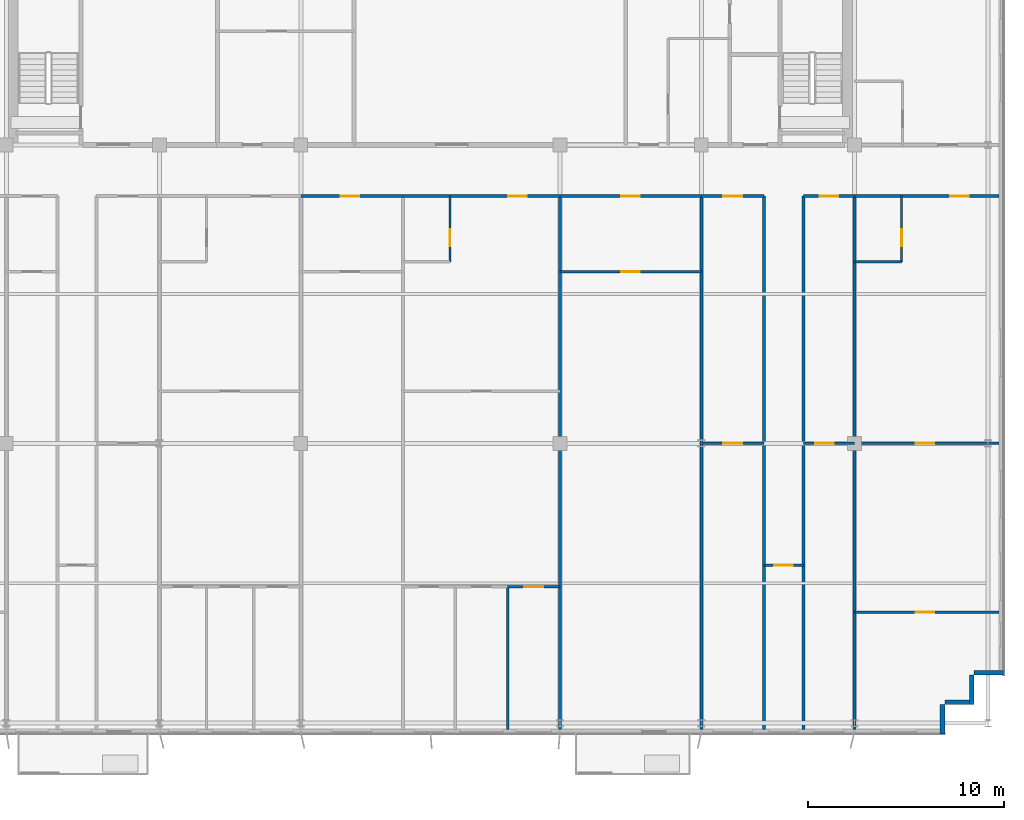
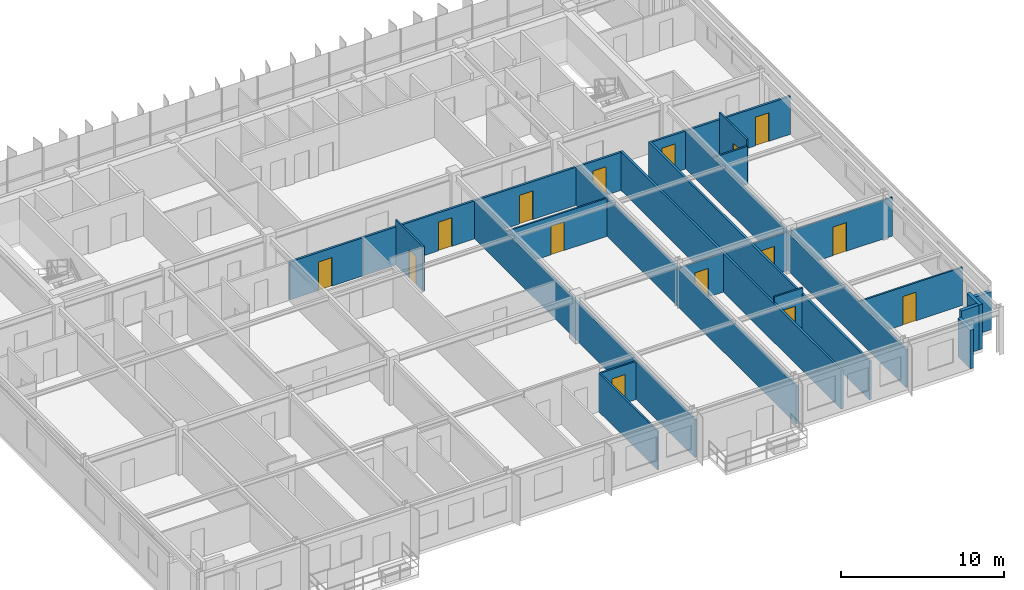
# One storey, part 18 of 23: 26 walls, 15 doors, 15 openings.
"""IFC4 building model written with IfcOpenShell, lengths in metres."""

from ifc_helpers import new_model, si_unit, direction, frame, frame_2d, origin, place, context, subcontext, project, spatial, rectangle, extrude, source, transform, mapped, material, layer, layer_set, type_object, element, fill, save


model = new_model("IFC4")

# Units and contexts
model_context = context("Model", 3, precision=1e-05, world=origin(), true_north=direction((0.0, 1.0)))
body_context = subcontext(model_context, "Body", "Model", "MODEL_VIEW")
ifc_project = project(units=[si_unit("LENGTHUNIT", "METRE"), si_unit("AREAUNIT", "SQUARE_METRE"), si_unit("VOLUMEUNIT", "CUBIC_METRE"), si_unit("PLANEANGLEUNIT", "RADIAN"), si_unit("MASSUNIT", "GRAM", prefix="KILO")], contexts=[model_context])

# Site, building, storey
site_placement = place(None, origin())
site = spatial("IfcSite", under=ifc_project, at=site_placement, CompositionType="ELEMENT")
building_placement = place(site_placement, origin())
building = spatial("IfcBuilding", under=site, at=building_placement, Name="Trelvane Seafront Commons", CompositionType="ELEMENT")
storey_placement = place(building_placement, frame((0.0, 0.0, 212.10009765625)))
storey = spatial("IfcBuildingStorey", under=building, at=storey_placement, Name="L55", CompositionType="ELEMENT", Elevation=212.10009765625)

# Walls
ifc_material_1 = material(Name="Precast concrete C40/50", Category="concrete")
ifc_layer_1 = layer(ifc_material_1, 0.239990234375, Name="ARCH-WALL-EXT240")
ifc_layer_set_1 = layer_set([ifc_layer_1], Name="Precast concrete C40/50")
wall_type_1 = type_object("IfcWallType", Name="ARCH-WALL-EXT240", PredefinedType="SOLIDWALL", material=ifc_layer_set_1)
wall_1_placement = place(storey_placement, frame((66.39990234375, 6.52001953125, 0.0), z_axis=(0.0, 0.0, 1.0), x_axis=(-1.0, 0.0, 0.0)))
element("IfcWall", 1, at=wall_1_placement, inside=storey, type_object=wall_type_1, Name="EW-L55-01114", PredefinedType="SOLIDWALL", context=body_context, shape_type="SweptSolid", body=[
    extrude(rectangle(XDim=1.5, YDim=0.239990234375, at=frame_2d((0.75, 0.0))), origin(), (0.0, 0.0, 1.0), 2.85986328125),
])
for number, where, z_axis, x_axis, name in (
    (2, (64.780029296875, 6.39990234375, 0.0), (0.0, 0.0, 1.0), (0.0, -1.0, 0.0), "EW-L55-01115"),
    (3, (64.89990234375, 5.02001953125, 0.0), (0.0, 0.0, 1.0), (-1.0, 0.0, 0.0), "EW-L55-01116"),
):
    element("IfcWall", number, at=place(storey_placement, frame(where, z_axis=z_axis, x_axis=x_axis)), inside=storey, type_object=wall_type_1, Name=name, PredefinedType="SOLIDWALL", context=body_context, shape_type="SweptSolid", body=[
        extrude(rectangle(XDim=1.5, YDim=0.239990234375, at=frame_2d((0.75, 0.0))), origin(), (0.0, 0.0, 1.0), 3.35986328125),
    ])
wall_2_placement = place(storey_placement, frame((63.280029296875, 4.89990234375, 0.0), z_axis=(0.0, 0.0, 1.0), x_axis=(0.0, -1.0, 0.0)))
element("IfcWall", 4, at=wall_2_placement, inside=storey, type_object=wall_type_1, Name="EW-L55-01117", PredefinedType="SOLIDWALL", context=body_context, shape_type="SweptSolid", body=[
    extrude(rectangle(XDim=1.5, YDim=0.239990234375, at=frame_2d((0.75, 0.0))), origin(), (0.0, 0.0, 1.0), 2.909912109375),
])

# Wall, opening, door
ifc_material_2 = material(Name="Gypsum Drywall Acoustic Partition")
ifc_layer_2 = layer(ifc_material_2, 0.1201171875, Name="ARCH-WALL-PART120")
ifc_layer_set_2 = layer_set([ifc_layer_2], Name="Gypsum Drywall Acoustic Partition")
wall_type_2 = type_object("IfcWallType", Name="ARCH-WALL-PART120", PredefinedType="PARTITIONING", material=ifc_layer_set_2)
wall_3_placement = place(storey_placement, frame((38.199951171875, 27.449951171875, 0.0), z_axis=(0.0, 0.0, 1.0), x_axis=(0.0, 1.0, 0.0)))
wall_3 = element("IfcWall", 5, at=wall_3_placement, inside=storey, type_object=wall_type_2, Name="W-L55-U7-BE-082", PredefinedType="PARTITIONING", context=body_context, shape_type="SweptSolid", body=[
    extrude(rectangle(XDim=3.35009765625, YDim=0.1201171875, at=frame_2d((1.675048828125, 0.0))), origin(), (0.0, 0.0, 1.0), 3.35986328125),
])
opening_1_placement = place(wall_3_placement, frame((0.800048828125, 0.0, 0.0)))
opening_1 = element("IfcOpeningElement", 6, at=opening_1_placement, cuts=wall_3, Name="Opening D-L55-48", PredefinedType="OPENING", context=body_context, shape_type="SweptSolid", body=[
    extrude(rectangle(XDim=0.85009765625, YDim=2.10009765625, at=frame_2d((0.425048828125, 1.050048828125))), frame((0.0, 0.070068359375, 0.0), z_axis=(0.0, -1.0, 0.0), x_axis=(1.0, 0.0, 0.0)), (0.0, 0.0, 1.0), 0.14013671875),
])
ifc_material_3 = material(Name="Acoustic timber door leaf", Category="wood")
door_type_1 = type_object("IfcDoorType", Name="ARCH-DR-INT850", OperationType="NOTDEFINED", PredefinedType="DOOR", material=ifc_material_3)
shared_shape_1 = source(origin(), body_context, "Body", "SweptSolid", [
    extrude(rectangle(XDim=0.85009765625, YDim=2.10009765625, at=frame_2d((0.425048828125, 1.050048828125))), frame((0.0, 0.02490234375, 0.0), z_axis=(0.0, -1.0, 0.0), x_axis=(1.0, 0.0, 0.0)), (0.0, 0.0, 1.0), 0.050048828125),
])
door_1_placement = place(opening_1_placement, origin())
door_1 = element("IfcDoor", 7, at=door_1_placement, inside=storey, type_object=door_type_1, Name="L55 Door 48", OperationType="SINGLE_SWING_RIGHT", OverallHeight=2.10009765625, OverallWidth=0.85009765625, PredefinedType="DOOR", context=body_context, shape_type="MappedRepresentation", body=[
    mapped(shared_shape_1, transform((0.0, 0.0, 0.0), x_axis=(1.0, 0.0, 0.0), y_axis=(0.0, 1.0, 0.0), z_axis=(0.0, 0.0, 1.0), scale=1.0)),
])
fill(opening_1, door_1)

wall_4_placement = place(storey_placement, frame((41.133056640625, 10.89990234375, 0.0), z_axis=(0.0, 0.0, 1.0), x_axis=(1.0, 0.0, 0.0)))
wall_4 = element("IfcWall", 8, at=wall_4_placement, inside=storey, type_object=wall_type_2, Name="W-L55-U7-YM-3-088", PredefinedType="PARTITIONING", context=body_context, shape_type="SweptSolid", body=[
    extrude(rectangle(XDim=2.6669921875, YDim=0.1201171875, at=frame_2d((1.33349609375, 0.0))), origin(), (0.0, 0.0, 1.0), 2.85986328125),
])
opening_2_placement = place(wall_4_placement, frame((0.85791015625, 0.0, 0.0)))
opening_2 = element("IfcOpeningElement", 9, at=opening_2_placement, cuts=wall_4, Name="Opening D-L55-52", PredefinedType="OPENING", context=body_context, shape_type="SweptSolid", body=[
    extrude(rectangle(XDim=0.949951171875, YDim=2.14990234375, at=frame_2d((0.47509765625, 1.074951171875))), frame((0.0, 0.070068359375, 0.0), z_axis=(0.0, -1.0, 0.0), x_axis=(1.0, 0.0, 0.0)), (0.0, 0.0, 1.0), 0.14013671875),
])
door_type_2 = type_object("IfcDoorType", Name="ARCH-DR-INT950", OperationType="NOTDEFINED", PredefinedType="DOOR", material=ifc_material_3)
shared_shape_2 = source(origin(), body_context, "Body", "SweptSolid", [
    extrude(rectangle(XDim=0.949951171875, YDim=2.14990234375, at=frame_2d((0.47509765625, 1.074951171875))), frame((0.0, 0.02490234375, 0.0), z_axis=(0.0, -1.0, 0.0), x_axis=(1.0, 0.0, 0.0)), (0.0, 0.0, 1.0), 0.050048828125),
])
door_2_placement = place(opening_2_placement, origin())
door_2 = element("IfcDoor", 10, at=door_2_placement, inside=storey, type_object=door_type_2, Name="L55 Door 52", OperationType="SINGLE_SWING_RIGHT", OverallHeight=2.14990234375, OverallWidth=0.949951171875, PredefinedType="DOOR", context=body_context, shape_type="MappedRepresentation", body=[
    mapped(shared_shape_2, transform((0.0, 0.0, 0.0), x_axis=(1.0, 0.0, 0.0), y_axis=(0.0, 1.0, 0.0), z_axis=(0.0, 0.0, 1.0), scale=1.0)),
])
fill(opening_2, door_2)

# Wall
wall_5_placement = place(storey_placement, frame((41.133056640625, 3.625, 0.0), z_axis=(0.0, 0.0, 1.0), x_axis=(0.0, 1.0, 0.0)))
element("IfcWall", 11, at=wall_5_placement, inside=storey, type_object=wall_type_2, Name="W-L55-U7-BDV-2-089", PredefinedType="PARTITIONING", context=body_context, shape_type="SweptSolid", body=[
    extrude(rectangle(XDim=7.27490234375, YDim=0.1201171875, at=frame_2d((3.637451171875, 0.0))), origin(), (0.0, 0.0, 1.0), 2.909912109375),
])

# Wall, opening, door
wall_6_placement = place(storey_placement, frame((43.800048828125, 26.949951171875, 0.0), z_axis=(0.0, 0.0, 1.0), x_axis=(1.0, 0.0, 0.0)))
wall_6 = element("IfcWall", 12, at=wall_6_placement, inside=storey, type_object=wall_type_2, Name="W-L55-U8-DIV-091", PredefinedType="PARTITIONING", context=body_context, shape_type="SweptSolid", body=[
    extrude(rectangle(XDim=7.199951171875, YDim=0.1201171875, at=frame_2d((3.60009765625, 0.0))), origin(), (0.0, 0.0, 1.0), 2.85986328125),
])
opening_3_placement = place(wall_6_placement, frame((3.125, 0.0, 0.0)))
opening_3 = element("IfcOpeningElement", 13, at=opening_3_placement, cuts=wall_6, Name="Opening D-L55-54", PredefinedType="OPENING", context=body_context, shape_type="SweptSolid", body=[
    extrude(rectangle(XDim=0.949951171875, YDim=2.14990234375, at=frame_2d((0.47509765625, 1.074951171875))), frame((0.0, 0.070068359375, 0.0), z_axis=(0.0, -1.0, 0.0), x_axis=(1.0, 0.0, 0.0)), (0.0, 0.0, 1.0), 0.14013671875),
])
door_3_placement = place(opening_3_placement, origin())
door_3 = element("IfcDoor", 14, at=door_3_placement, inside=storey, type_object=door_type_2, Name="L55 Door 54", OperationType="SINGLE_SWING_RIGHT", OverallHeight=2.14990234375, OverallWidth=0.949951171875, PredefinedType="DOOR", context=body_context, shape_type="MappedRepresentation", body=[
    mapped(shared_shape_2, transform((0.0, 0.0, 0.0), x_axis=(1.0, 0.0, 0.0), y_axis=(0.0, 1.0, 0.0), z_axis=(0.0, 0.0, 1.0), scale=1.0)),
])
fill(opening_3, door_3)

wall_7_placement = place(storey_placement, frame((51.0, 18.199951171875, 0.0), z_axis=(0.0, 0.0, 1.0), x_axis=(1.0, 0.0, 0.0)))
wall_7 = element("IfcWall", 15, at=wall_7_placement, inside=storey, type_object=wall_type_2, Name="W-L55-U9-DIV-093", PredefinedType="PARTITIONING", context=body_context, shape_type="SweptSolid", body=[
    extrude(rectangle(XDim=3.199951171875, YDim=0.1201171875, at=frame_2d((1.60009765625, 0.0))), origin(), (0.0, 0.0, 1.0), 2.909912109375),
])
opening_4_placement = place(wall_7_placement, frame((1.125, 0.0, 0.0)))
opening_4 = element("IfcOpeningElement", 16, at=opening_4_placement, cuts=wall_7, Name="Opening D-L55-56", PredefinedType="OPENING", context=body_context, shape_type="SweptSolid", body=[
    extrude(rectangle(XDim=0.949951171875, YDim=2.14990234375, at=frame_2d((0.47509765625, 1.074951171875))), frame((0.0, 0.070068359375, 0.0), z_axis=(0.0, -1.0, 0.0), x_axis=(1.0, 0.0, 0.0)), (0.0, 0.0, 1.0), 0.14013671875),
])
door_4_placement = place(opening_4_placement, origin())
door_4 = element("IfcDoor", 17, at=door_4_placement, inside=storey, type_object=door_type_2, Name="L55 Door 56", OperationType="SINGLE_SWING_RIGHT", OverallHeight=2.14990234375, OverallWidth=0.949951171875, PredefinedType="DOOR", context=body_context, shape_type="MappedRepresentation", body=[
    mapped(shared_shape_2, transform((0.0, 0.0, 0.0), x_axis=(1.0, 0.0, 0.0), y_axis=(0.0, 1.0, 0.0), z_axis=(0.0, 0.0, 1.0), scale=1.0)),
])
fill(opening_4, door_4)

wall_8_placement = place(storey_placement, frame((54.199951171875, 12.0, 0.0), z_axis=(0.0, 0.0, 1.0), x_axis=(1.0, 0.0, 0.0)))
wall_8 = element("IfcWall", 18, at=wall_8_placement, inside=storey, type_object=wall_type_2, Name="W-L55-ARM-END-10-096", PredefinedType="PARTITIONING", context=body_context, shape_type="SweptSolid", body=[
    extrude(rectangle(XDim=2.0, YDim=0.1201171875, at=frame_2d((1.0, 0.0))), origin(), (0.0, 0.0, 1.0), 3.35986328125),
])
opening_5_placement = place(wall_8_placement, frame((0.52001953125, 0.0, 0.0)))
opening_5 = element("IfcOpeningElement", 19, at=opening_5_placement, cuts=wall_8, Name="Opening D-L55-57", PredefinedType="OPENING", context=body_context, shape_type="SweptSolid", body=[
    extrude(rectangle(XDim=0.949951171875, YDim=2.14990234375, at=frame_2d((0.47509765625, 1.074951171875))), frame((0.0, 0.070068359375, 0.0), z_axis=(0.0, -1.0, 0.0), x_axis=(1.0, 0.0, 0.0)), (0.0, 0.0, 1.0), 0.14013671875),
])
door_5_placement = place(opening_5_placement, origin())
door_5 = element("IfcDoor", 20, at=door_5_placement, inside=storey, type_object=door_type_2, Name="L55 Door 57", OperationType="SINGLE_SWING_LEFT", OverallHeight=2.14990234375, OverallWidth=0.949951171875, PredefinedType="DOOR", context=body_context, shape_type="MappedRepresentation", body=[
    mapped(shared_shape_2, transform((0.0, 0.0, 0.0), x_axis=(1.0, 0.0, 0.0), y_axis=(0.0, 1.0, 0.0), z_axis=(0.0, 0.0, 1.0), scale=1.0)),
])
fill(opening_5, door_5)

wall_9_placement = place(storey_placement, frame((56.199951171875, 18.199951171875, 0.0), z_axis=(0.0, 0.0, 1.0), x_axis=(1.0, 0.0, 0.0)))
wall_9 = element("IfcWall", 21, at=wall_9_placement, inside=storey, type_object=wall_type_2, Name="W-L55-U11-DIV-098", PredefinedType="PARTITIONING", context=body_context, shape_type="SweptSolid", body=[
    extrude(rectangle(XDim=2.60009765625, YDim=0.1201171875, at=frame_2d((1.300048828125, 0.0))), origin(), (0.0, 0.0, 1.0), 2.909912109375),
])
opening_6_placement = place(wall_9_placement, frame((0.60205078125, 0.0, 0.0)))
opening_6 = element("IfcOpeningElement", 22, at=opening_6_placement, cuts=wall_9, Name="Opening D-L55-59", PredefinedType="OPENING", context=body_context, shape_type="SweptSolid", body=[
    extrude(rectangle(XDim=0.949951171875, YDim=2.14990234375, at=frame_2d((0.47509765625, 1.074951171875))), frame((0.0, 0.070068359375, 0.0), z_axis=(0.0, -1.0, 0.0), x_axis=(1.0, 0.0, 0.0)), (0.0, 0.0, 1.0), 0.14013671875),
])
door_6_placement = place(opening_6_placement, origin())
door_6 = element("IfcDoor", 23, at=door_6_placement, inside=storey, type_object=door_type_2, Name="L55 Door 59", OperationType="SINGLE_SWING_LEFT", OverallHeight=2.14990234375, OverallWidth=0.949951171875, PredefinedType="DOOR", context=body_context, shape_type="MappedRepresentation", body=[
    mapped(shared_shape_2, transform((0.0, 0.0, 0.0), x_axis=(1.0, 0.0, 0.0), y_axis=(0.0, 1.0, 0.0), z_axis=(0.0, 0.0, 1.0), scale=1.0)),
])
fill(opening_6, door_6)

wall_10_placement = place(storey_placement, frame((58.800048828125, 18.199951171875, 0.0), z_axis=(0.0, 0.0, 1.0), x_axis=(1.0, 0.0, 0.0)))
wall_10 = element("IfcWall", 24, at=wall_10_placement, inside=storey, type_object=wall_type_2, Name="W-L55-U12-KL-099", PredefinedType="PARTITIONING", context=body_context, shape_type="SweptSolid", body=[
    extrude(rectangle(XDim=7.35986328125, YDim=0.1201171875, at=frame_2d((3.679931640625, 0.0))), origin(), (0.0, 0.0, 1.0), 2.909912109375),
])
opening_7_placement = place(wall_10_placement, frame((3.114013671875, 0.0, 0.0)))
opening_7 = element("IfcOpeningElement", 25, at=opening_7_placement, cuts=wall_10, Name="Opening D-L55-60", PredefinedType="OPENING", context=body_context, shape_type="SweptSolid", body=[
    extrude(rectangle(XDim=0.949951171875, YDim=2.14990234375, at=frame_2d((0.47509765625, 1.074951171875))), frame((0.0, 0.070068359375, 0.0), z_axis=(0.0, -1.0, 0.0), x_axis=(1.0, 0.0, 0.0)), (0.0, 0.0, 1.0), 0.14013671875),
])
door_7_placement = place(opening_7_placement, origin())
door_7 = element("IfcDoor", 26, at=door_7_placement, inside=storey, type_object=door_type_2, Name="L55 Door 60", OperationType="SINGLE_SWING_RIGHT", OverallHeight=2.14990234375, OverallWidth=0.949951171875, PredefinedType="DOOR", context=body_context, shape_type="MappedRepresentation", body=[
    mapped(shared_shape_2, transform((0.0, 0.0, 0.0), x_axis=(1.0, 0.0, 0.0), y_axis=(0.0, 1.0, 0.0), z_axis=(0.0, 0.0, 1.0), scale=1.0)),
])
fill(opening_7, door_7)

wall_11_placement = place(storey_placement, frame((61.199951171875, 27.449951171875, 0.0), z_axis=(0.0, 0.0, 1.0), x_axis=(0.0, 1.0, 0.0)))
wall_11 = element("IfcWall", 27, at=wall_11_placement, inside=storey, type_object=wall_type_2, Name="W-L55-U12-BE-100", PredefinedType="PARTITIONING", context=body_context, shape_type="SweptSolid", body=[
    extrude(rectangle(XDim=3.35009765625, YDim=0.1201171875, at=frame_2d((1.675048828125, 0.0))), origin(), (0.0, 0.0, 1.0), 3.35986328125),
])
opening_8_placement = place(wall_11_placement, frame((0.800048828125, 0.0, 0.0)))
opening_8 = element("IfcOpeningElement", 28, at=opening_8_placement, cuts=wall_11, Name="Opening D-L55-61", PredefinedType="OPENING", context=body_context, shape_type="SweptSolid", body=[
    extrude(rectangle(XDim=0.85009765625, YDim=2.10009765625, at=frame_2d((0.425048828125, 1.050048828125))), frame((0.0, 0.070068359375, 0.0), z_axis=(0.0, -1.0, 0.0), x_axis=(1.0, 0.0, 0.0)), (0.0, 0.0, 1.0), 0.14013671875),
])
door_8_placement = place(opening_8_placement, origin())
door_8 = element("IfcDoor", 29, at=door_8_placement, inside=storey, type_object=door_type_1, Name="L55 Door 61", OperationType="SINGLE_SWING_LEFT", OverallHeight=2.10009765625, OverallWidth=0.85009765625, PredefinedType="DOOR", context=body_context, shape_type="MappedRepresentation", body=[
    mapped(shared_shape_1, transform((0.0, 0.0, 0.0), x_axis=(1.0, 0.0, 0.0), y_axis=(0.0, 1.0, 0.0), z_axis=(0.0, 0.0, 1.0), scale=1.0)),
])
fill(opening_8, door_8)

# Wall
wall_12_placement = place(storey_placement, frame((58.800048828125, 27.449951171875, 0.0), z_axis=(0.0, 0.0, 1.0), x_axis=(1.0, 0.0, 0.0)))
element("IfcWall", 30, at=wall_12_placement, inside=storey, type_object=wall_type_2, Name="W-L55-U12-BS-101", PredefinedType="PARTITIONING", context=body_context, shape_type="SweptSolid", body=[
    extrude(rectangle(XDim=2.39990234375, YDim=0.1201171875, at=frame_2d((1.199951171875, 0.0))), origin(), (0.0, 0.0, 1.0), 2.85986328125),
])

# Wall, opening, door
wall_13_placement = place(storey_placement, frame((58.800048828125, 9.60009765625, 0.0), z_axis=(0.0, 0.0, 1.0), x_axis=(1.0, 0.0, 0.0)))
wall_13 = element("IfcWall", 31, at=wall_13_placement, inside=storey, type_object=wall_type_2, Name="W-L55-U12-YM-1-103", PredefinedType="PARTITIONING", context=body_context, shape_type="SweptSolid", body=[
    extrude(rectangle(XDim=7.35986328125, YDim=0.1201171875, at=frame_2d((3.679931640625, 0.0))), origin(), (0.0, 0.0, 1.0), 2.85986328125),
])
opening_9_placement = place(wall_13_placement, frame((3.114013671875, 0.0, 0.0)))
opening_9 = element("IfcOpeningElement", 32, at=opening_9_placement, cuts=wall_13, Name="Opening D-L55-63", PredefinedType="OPENING", context=body_context, shape_type="SweptSolid", body=[
    extrude(rectangle(XDim=0.949951171875, YDim=2.14990234375, at=frame_2d((0.47509765625, 1.074951171875))), frame((0.0, 0.070068359375, 0.0), z_axis=(0.0, -1.0, 0.0), x_axis=(1.0, 0.0, 0.0)), (0.0, 0.0, 1.0), 0.14013671875),
])
door_9_placement = place(opening_9_placement, origin())
door_9 = element("IfcDoor", 33, at=door_9_placement, inside=storey, type_object=door_type_2, Name="L55 Door 63", OperationType="SINGLE_SWING_LEFT", OverallHeight=2.14990234375, OverallWidth=0.949951171875, PredefinedType="DOOR", context=body_context, shape_type="MappedRepresentation", body=[
    mapped(shared_shape_2, transform((0.0, 0.0, 0.0), x_axis=(1.0, 0.0, 0.0), y_axis=(0.0, 1.0, 0.0), z_axis=(0.0, 0.0, 1.0), scale=1.0)),
])
fill(opening_9, door_9)

# Walls
ifc_layer_3 = layer(ifc_material_2, 0.14990234375, Name="ARCH-WALL-PART150")
ifc_layer_set_3 = layer_set([ifc_layer_3], Name="Gypsum Drywall Acoustic Partition")
wall_type_3 = type_object("IfcWallType", Name="ARCH-WALL-PART150", PredefinedType="PARTITIONING", material=ifc_layer_set_3)
for number, where, z_axis, x_axis, name in (
    (34, (43.800048828125, 3.625, 0.0), (0.0, 0.0, 1.0), (0.0, 1.0, 0.0), "W-L55-PW-7-055"),
    (35, (51.0, 3.625, 0.0), (0.0, 0.0, 1.0), (0.0, 1.0, 0.0), "W-L55-PW-8-056"),
    (36, (58.800048828125, 3.625, 0.0), (0.0, 0.0, 1.0), (0.0, 1.0, 0.0), "W-L55-PW-11-057"),
):
    element("IfcWall", number, at=place(storey_placement, frame(where, z_axis=z_axis, x_axis=x_axis)), inside=storey, type_object=wall_type_3, Name=name, PredefinedType="PARTITIONING", context=body_context, shape_type="SweptSolid", body=[
        extrude(rectangle(XDim=27.175048828125, YDim=0.14990234375, at=frame_2d((13.58740234375, 0.0))), origin(), (0.0, 0.0, 1.0), 2.85986328125),
    ])

# Wall, opening, door
wall_14_placement = place(storey_placement, frame((30.60009765625, 30.800048828125, 0.0), z_axis=(0.0, 0.0, 1.0), x_axis=(1.0, 0.0, 0.0)))
wall_14 = element("IfcWall", 37, at=wall_14_placement, inside=storey, type_object=wall_type_3, Name="W-L55-CS-BAY-6-079", PredefinedType="PARTITIONING", context=body_context, shape_type="SweptSolid", body=[
    extrude(rectangle(XDim=5.199951171875, YDim=0.14990234375, at=frame_2d((2.60009765625, 0.0))), origin(), (0.0, 0.0, 1.0), 2.85986328125),
])
opening_10_placement = place(wall_14_placement, frame((2.032958984375, 0.0, 0.0)))
opening_10 = element("IfcOpeningElement", 38, at=opening_10_placement, cuts=wall_14, Name="Opening FD-L55-45", PredefinedType="OPENING", context=body_context, shape_type="SweptSolid", body=[
    extrude(rectangle(XDim=0.949951171875, YDim=2.14990234375, at=frame_2d((0.47509765625, 1.074951171875))), frame((0.0, 0.0849609375, 0.0), z_axis=(0.0, -1.0, 0.0), x_axis=(1.0, 0.0, 0.0)), (0.0, 0.0, 1.0), 0.169921875),
])
ifc_material_4 = material(Name="Powder-coated aluminium frame", Category="aluminium")
door_type_3 = type_object("IfcDoorType", Name="ARCH-DR-FD60-950", OperationType="NOTDEFINED", PredefinedType="DOOR", material=ifc_material_4)
door_10_placement = place(opening_10_placement, origin())
door_10 = element("IfcDoor", 39, at=door_10_placement, inside=storey, type_object=door_type_3, Name="L55 Bay 06 Entrance Door", OperationType="SINGLE_SWING_LEFT", OverallHeight=2.14990234375, OverallWidth=0.949951171875, PredefinedType="DOOR", context=body_context, shape_type="MappedRepresentation", body=[
    mapped(shared_shape_2, transform((0.0, 0.0, 0.0), x_axis=(1.0, 0.0, 0.0), y_axis=(0.0, 1.0, 0.0), z_axis=(0.0, 0.0, 1.0), scale=1.0)),
])
fill(opening_10, door_10)

wall_15_placement = place(storey_placement, frame((35.800048828125, 30.800048828125, 0.0), z_axis=(0.0, 0.0, 1.0), x_axis=(1.0, 0.0, 0.0)))
wall_15 = element("IfcWall", 40, at=wall_15_placement, inside=storey, type_object=wall_type_3, Name="W-L55-CS-BAY-7-084", PredefinedType="PARTITIONING", context=body_context, shape_type="SweptSolid", body=[
    extrude(rectangle(XDim=8.0, YDim=0.14990234375, at=frame_2d((4.0, 0.0))), origin(), (0.0, 0.0, 1.0), 2.85986328125),
])
opening_11_placement = place(wall_15_placement, frame((5.366943359375, 0.0, 0.0)))
opening_11 = element("IfcOpeningElement", 41, at=opening_11_placement, cuts=wall_15, Name="Opening FD-L55-49", PredefinedType="OPENING", context=body_context, shape_type="SweptSolid", body=[
    extrude(rectangle(XDim=0.949951171875, YDim=2.14990234375, at=frame_2d((0.47509765625, 1.074951171875))), frame((0.0, 0.0849609375, 0.0), z_axis=(0.0, -1.0, 0.0), x_axis=(1.0, 0.0, 0.0)), (0.0, 0.0, 1.0), 0.169921875),
])
door_11_placement = place(opening_11_placement, origin())
door_11 = element("IfcDoor", 42, at=door_11_placement, inside=storey, type_object=door_type_3, Name="L55 Unit 07 Entrance Door", OperationType="SINGLE_SWING_LEFT", OverallHeight=2.14990234375, OverallWidth=0.949951171875, PredefinedType="DOOR", context=body_context, shape_type="MappedRepresentation", body=[
    mapped(shared_shape_2, transform((0.0, 0.0, 0.0), x_axis=(1.0, 0.0, 0.0), y_axis=(0.0, 1.0, 0.0), z_axis=(0.0, 0.0, 1.0), scale=1.0)),
])
fill(opening_11, door_11)

wall_16_placement = place(storey_placement, frame((43.800048828125, 30.800048828125, 0.0), z_axis=(0.0, 0.0, 1.0), x_axis=(1.0, 0.0, 0.0)))
wall_16 = element("IfcWall", 43, at=wall_16_placement, inside=storey, type_object=wall_type_3, Name="W-L55-CS-BAY-8-090", PredefinedType="PARTITIONING", context=body_context, shape_type="SweptSolid", body=[
    extrude(rectangle(XDim=7.199951171875, YDim=0.14990234375, at=frame_2d((3.60009765625, 0.0))), origin(), (0.0, 0.0, 1.0), 2.85986328125),
])
opening_12_placement = place(wall_16_placement, frame((3.125, 0.0, 0.0)))
opening_12 = element("IfcOpeningElement", 44, at=opening_12_placement, cuts=wall_16, Name="Opening FD-L55-53", PredefinedType="OPENING", context=body_context, shape_type="SweptSolid", body=[
    extrude(rectangle(XDim=0.949951171875, YDim=2.14990234375, at=frame_2d((0.47509765625, 1.074951171875))), frame((0.0, 0.0849609375, 0.0), z_axis=(0.0, -1.0, 0.0), x_axis=(1.0, 0.0, 0.0)), (0.0, 0.0, 1.0), 0.169921875),
])
door_12_placement = place(opening_12_placement, origin())
door_12 = element("IfcDoor", 45, at=door_12_placement, inside=storey, type_object=door_type_3, Name="L55 Bay 08 Entrance Door", OperationType="SINGLE_SWING_LEFT", OverallHeight=2.14990234375, OverallWidth=0.949951171875, PredefinedType="DOOR", context=body_context, shape_type="MappedRepresentation", body=[
    mapped(shared_shape_2, transform((0.0, 0.0, 0.0), x_axis=(1.0, 0.0, 0.0), y_axis=(0.0, 1.0, 0.0), z_axis=(0.0, 0.0, 1.0), scale=1.0)),
])
fill(opening_12, door_12)

wall_17_placement = place(storey_placement, frame((51.0, 30.800048828125, 0.0), z_axis=(0.0, 0.0, 1.0), x_axis=(1.0, 0.0, 0.0)))
wall_17 = element("IfcWall", 46, at=wall_17_placement, inside=storey, type_object=wall_type_3, Name="W-L55-CS-BAY-9-092", PredefinedType="PARTITIONING", context=body_context, shape_type="SweptSolid", body=[
    extrude(rectangle(XDim=3.199951171875, YDim=0.14990234375, at=frame_2d((1.60009765625, 0.0))), origin(), (0.0, 0.0, 1.0), 2.85986328125),
])
opening_13_placement = place(wall_17_placement, frame((1.125, 0.0, 0.0)))
opening_13 = element("IfcOpeningElement", 47, at=opening_13_placement, cuts=wall_17, Name="Opening FD-L55-55", PredefinedType="OPENING", context=body_context, shape_type="SweptSolid", body=[
    extrude(rectangle(XDim=0.949951171875, YDim=2.14990234375, at=frame_2d((0.47509765625, 1.074951171875))), frame((0.0, 0.0849609375, 0.0), z_axis=(0.0, -1.0, 0.0), x_axis=(1.0, 0.0, 0.0)), (0.0, 0.0, 1.0), 0.169921875),
])
door_13_placement = place(opening_13_placement, origin())
door_13 = element("IfcDoor", 48, at=door_13_placement, inside=storey, type_object=door_type_3, Name="L55 Bay 09 Entrance Door", OperationType="SINGLE_SWING_LEFT", OverallHeight=2.14990234375, OverallWidth=0.949951171875, PredefinedType="DOOR", context=body_context, shape_type="MappedRepresentation", body=[
    mapped(shared_shape_2, transform((0.0, 0.0, 0.0), x_axis=(1.0, 0.0, 0.0), y_axis=(0.0, 1.0, 0.0), z_axis=(0.0, 0.0, 1.0), scale=1.0)),
])
fill(opening_13, door_13)

# Walls
for number, where, z_axis, x_axis, name in (
    (49, (54.199951171875, 3.625, 0.0), (0.0, 0.0, 1.0), (0.0, 1.0, 0.0), "W-L55-ARM-W-10-094"),
    (50, (56.199951171875, 3.625, 0.0), (0.0, 0.0, 1.0), (0.0, 1.0, 0.0), "W-L55-ARM-E-10-095"),
):
    element("IfcWall", number, at=place(storey_placement, frame(where, z_axis=z_axis, x_axis=x_axis)), inside=storey, type_object=wall_type_3, Name=name, PredefinedType="PARTITIONING", context=body_context, shape_type="SweptSolid", body=[
        extrude(rectangle(XDim=27.175048828125, YDim=0.14990234375, at=frame_2d((13.58740234375, 0.0))), origin(), (0.0, 0.0, 1.0), 2.909912109375),
    ])

# Wall, opening, door
wall_18_placement = place(storey_placement, frame((56.199951171875, 30.800048828125, 0.0), z_axis=(0.0, 0.0, 1.0), x_axis=(1.0, 0.0, 0.0)))
wall_18 = element("IfcWall", 51, at=wall_18_placement, inside=storey, type_object=wall_type_3, Name="W-L55-CS-BAY-11-097", PredefinedType="PARTITIONING", context=body_context, shape_type="SweptSolid", body=[
    extrude(rectangle(XDim=2.60009765625, YDim=0.14990234375, at=frame_2d((1.300048828125, 0.0))), origin(), (0.0, 0.0, 1.0), 2.85986328125),
])
opening_14_placement = place(wall_18_placement, frame((0.824951171875, 0.0, 0.0)))
opening_14 = element("IfcOpeningElement", 52, at=opening_14_placement, cuts=wall_18, Name="Opening FD-L55-58", PredefinedType="OPENING", context=body_context, shape_type="SweptSolid", body=[
    extrude(rectangle(XDim=0.949951171875, YDim=2.14990234375, at=frame_2d((0.47509765625, 1.074951171875))), frame((0.0, 0.0849609375, 0.0), z_axis=(0.0, -1.0, 0.0), x_axis=(1.0, 0.0, 0.0)), (0.0, 0.0, 1.0), 0.169921875),
])
door_14_placement = place(opening_14_placement, origin())
door_14 = element("IfcDoor", 53, at=door_14_placement, inside=storey, type_object=door_type_3, Name="L55 Bay 11 Entrance Door", OperationType="SINGLE_SWING_RIGHT", OverallHeight=2.14990234375, OverallWidth=0.949951171875, PredefinedType="DOOR", context=body_context, shape_type="MappedRepresentation", body=[
    mapped(shared_shape_2, transform((0.0, 0.0, 0.0), x_axis=(1.0, 0.0, 0.0), y_axis=(0.0, 1.0, 0.0), z_axis=(0.0, 0.0, 1.0), scale=1.0)),
])
fill(opening_14, door_14)

wall_19_placement = place(storey_placement, frame((58.800048828125, 30.800048828125, 0.0), z_axis=(0.0, 0.0, 1.0), x_axis=(1.0, 0.0, 0.0)))
wall_19 = element("IfcWall", 54, at=wall_19_placement, inside=storey, type_object=wall_type_3, Name="W-L55-CS-BAY-12-102", PredefinedType="PARTITIONING", context=body_context, shape_type="SweptSolid", body=[
    extrude(rectangle(XDim=7.375, YDim=0.14990234375, at=frame_2d((3.6875, 0.0))), origin(), (0.0, 0.0, 1.0), 2.85986328125),
])
opening_15_placement = place(wall_19_placement, frame((4.876953125, 0.0, 0.0)))
opening_15 = element("IfcOpeningElement", 55, at=opening_15_placement, cuts=wall_19, Name="Opening FD-L55-62", PredefinedType="OPENING", context=body_context, shape_type="SweptSolid", body=[
    extrude(rectangle(XDim=0.949951171875, YDim=2.14990234375, at=frame_2d((0.47509765625, 1.074951171875))), frame((0.0, 0.0849609375, 0.0), z_axis=(0.0, -1.0, 0.0), x_axis=(1.0, 0.0, 0.0)), (0.0, 0.0, 1.0), 0.169921875),
])
door_15_placement = place(opening_15_placement, origin())
door_15 = element("IfcDoor", 56, at=door_15_placement, inside=storey, type_object=door_type_3, Name="L55 Unit 12 Entrance Door", OperationType="SINGLE_SWING_RIGHT", OverallHeight=2.14990234375, OverallWidth=0.949951171875, PredefinedType="DOOR", context=body_context, shape_type="MappedRepresentation", body=[
    mapped(shared_shape_2, transform((0.0, 0.0, 0.0), x_axis=(1.0, 0.0, 0.0), y_axis=(0.0, 1.0, 0.0), z_axis=(0.0, 0.0, 1.0), scale=1.0)),
])
fill(opening_15, door_15)

save(model, "model.ifc")
